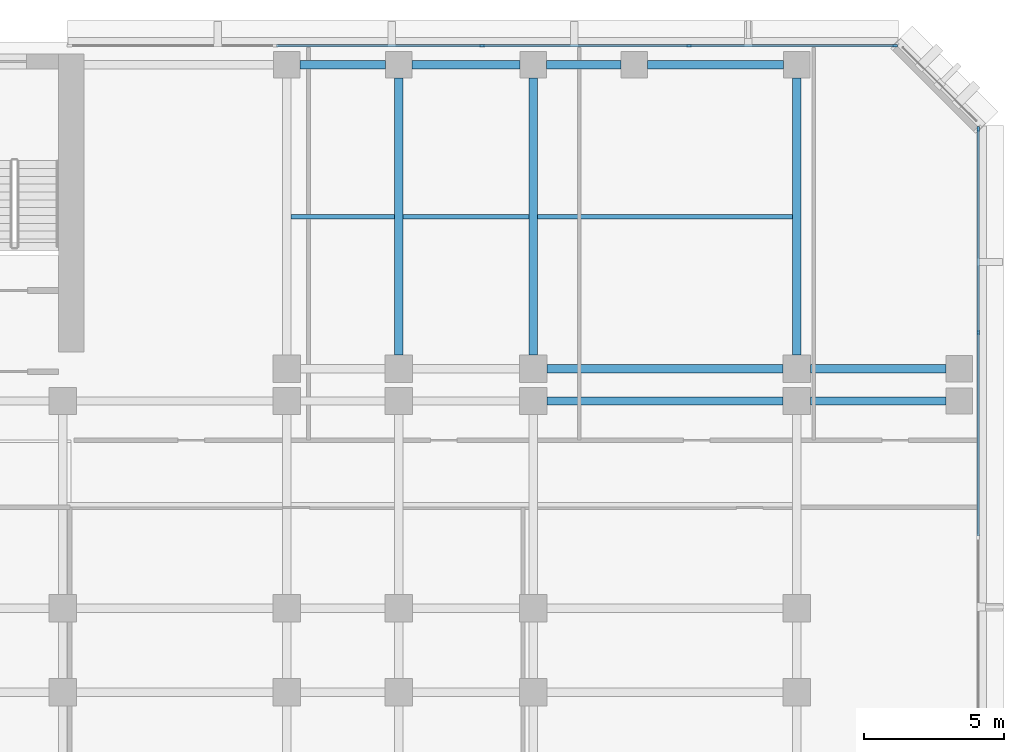
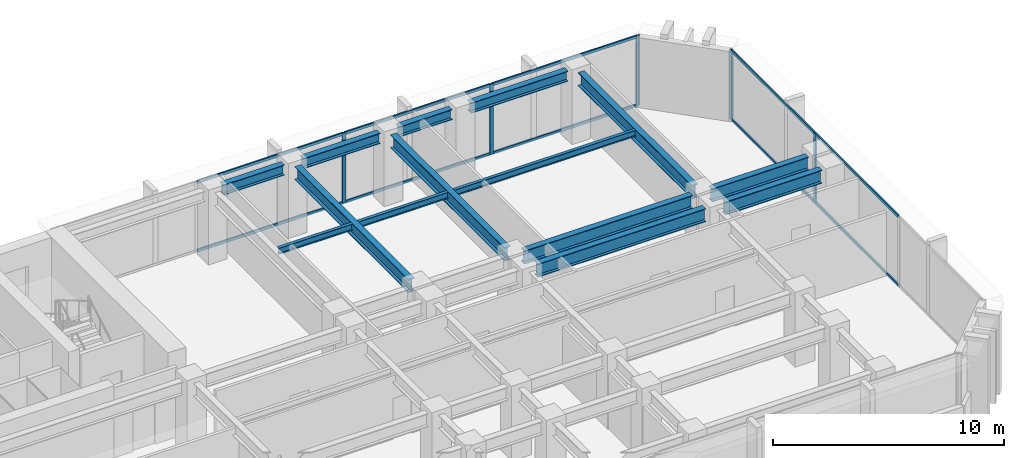
# One storey, part 5 of 13: 15 members, 14 beams, 2 elements without a shape of their own.
"""IFC4 building model written with IfcOpenShell, lengths in metres."""

import ifcopenshell
import ifcopenshell.guid

model = None  # the IFC model being written
_history = None  # IfcOwnerHistory: only IFC2X3 demands one
_inside = {}  # id of a spatial element -> (the spatial element, [elements in it])
_under = {}  # id of a project, library or spatial element -> (it, [spatial elements below it])
_declared = {}  # id of a project -> (the project, [libraries it declares])
_typed = {}  # id of a type object -> (the type object, [elements of that type])
_made_of = {}  # id of a material, layer set ... -> (it, [elements and type objects made of it])


def new_model(schema):
    """Start an empty IFC model of exactly this schema.

    Asked for "IFC4X3", IfcOpenShell would pick the latest addendum, in which some entities
    have other attributes; the version numbers below select the first issue.
    IFC2X3 requires an IfcOwnerHistory on every rooted entity: one is made here for all.
    """
    global model, _history
    if schema == "IFC4X3":
        model = ifcopenshell.file(schema_version=(4, 3, 0, 0))
    else:
        model = ifcopenshell.file(schema=schema)
    _inside.clear()
    _under.clear()
    _declared.clear()
    _typed.clear()
    _made_of.clear()
    _history = None
    if model.schema == "IFC2X3":
        org = make("IfcOrganization", Name="unknown")
        user = make(
            "IfcPersonAndOrganization",
            ThePerson=make("IfcPerson", FamilyName="unknown"),
            TheOrganization=org,
        )
        app = make(
            "IfcApplication",
            ApplicationDeveloper=org,
            Version="unknown",
            ApplicationFullName="unknown",
            ApplicationIdentifier="unknown",
        )
        _history = make(
            "IfcOwnerHistory",
            OwningUser=user,
            OwningApplication=app,
            ChangeAction="ADDED",
            CreationDate=0,
        )
    return model


def make(cls, **values):
    """One entity of the class cls with the attributes given. An attribute that is None is left unset."""
    return model.create_entity(
        cls, **{name: value for name, value in values.items() if value is not None}
    )


def rooted(cls, **values):
    """An entity with a GlobalId (a new one), such as an element, a storey or a relation."""
    return make(cls, GlobalId=ifcopenshell.guid.new(), OwnerHistory=_history, **values)


def si_unit(unit_type, name, prefix=None):
    """IfcSIUnit, for example si_unit("LENGTHUNIT", "METRE", prefix="MILLI")."""
    return make("IfcSIUnit", UnitType=unit_type, Prefix=prefix, Name=name)


def assignment(units):
    """IfcUnitAssignment: the units of a project."""
    return None if units is None else make("IfcUnitAssignment", Units=units)


def point(xyz):
    """IfcCartesianPoint."""
    return None if xyz is None else make("IfcCartesianPoint", Coordinates=xyz)


def direction(xyz):
    """IfcDirection."""
    return None if xyz is None else make("IfcDirection", DirectionRatios=xyz)


def frame(location, z_axis=None, x_axis=None):
    """IfcAxis2Placement3D, a coordinate frame: its origin and axes. An axis left out is left unset."""
    return make(
        "IfcAxis2Placement3D",
        Location=point(location),
        Axis=direction(z_axis),
        RefDirection=direction(x_axis),
    )


def frame_2d(location, x_axis=None):
    """IfcAxis2Placement2D, a coordinate frame in the plane: its origin and x axis."""
    return make(
        "IfcAxis2Placement2D", Location=point(location), RefDirection=direction(x_axis)
    )


def origin():
    """The frame at (0, 0, 0) with its axes left unset."""
    return frame((0.0, 0.0, 0.0))


def origin_2d():
    """The frame at (0, 0) in the plane with its x axis left unset."""
    return frame_2d((0.0, 0.0))


def place(relative_to, where):
    """IfcLocalPlacement: puts the frame where relative to a parent placement (None: the world)."""
    return make(
        "IfcLocalPlacement", PlacementRelTo=relative_to, RelativePlacement=where
    )


def context(
    kind, dimensions, precision=None, world=None, true_north=None, identifier=None
):
    """IfcGeometricRepresentationContext, for example the 3D "Model" context."""
    return make(
        "IfcGeometricRepresentationContext",
        ContextIdentifier=identifier,
        ContextType=kind,
        CoordinateSpaceDimension=dimensions,
        Precision=precision,
        WorldCoordinateSystem=world,
        TrueNorth=true_north,
    )


def subcontext(parent, identifier, kind, view, scale=None):
    """IfcGeometricRepresentationSubContext, for example "Body" below "Model"."""
    return make(
        "IfcGeometricRepresentationSubContext",
        ContextIdentifier=identifier,
        ContextType=kind,
        ParentContext=parent,
        TargetScale=scale,
        TargetView=view,
    )


def project(units=None, contexts=None):
    """IfcProject with its units and contexts."""
    return rooted(
        "IfcProject",
        Name="project",
        RepresentationContexts=contexts,
        UnitsInContext=assignment(units),
    )


def spatial(cls, under=None, at=None, **own):
    """A site, building, storey or space (cls), placed at a placement, below another one or the project."""
    s = rooted(cls, ObjectPlacement=at, **own)
    if under is not None:
        _under.setdefault(under.id(), (under, []))[1].append(s)
    return s


def profile(cls, at=None, kind="AREA", **sizes):
    """A parametric profile (cls). Its sizes go by their IFC names, for example OverallWidth=200.0."""
    return make(cls, ProfileType=kind, Position=at, **sizes)


def rectangle(**sizes):
    """IfcRectangleProfileDef."""
    return profile("IfcRectangleProfileDef", **sizes)


def i_section(**sizes):
    """IfcIShapeProfileDef."""
    return profile("IfcIShapeProfileDef", **sizes)


def extrude(swept, where, along, depth):
    """IfcExtrudedAreaSolid: the profile swept, set in the frame where, extruded along a direction by depth."""
    return make(
        "IfcExtrudedAreaSolid",
        SweptArea=swept,
        Position=where,
        ExtrudedDirection=direction(along),
        Depth=depth,
    )


def shape(context_of_items, identifier, shape_type, items):
    """IfcShapeRepresentation: the items that make up one representation, for example the "Body"."""
    return make(
        "IfcShapeRepresentation",
        ContextOfItems=context_of_items,
        RepresentationIdentifier=identifier,
        RepresentationType=shape_type,
        Items=items,
    )


def material(Name=None, Category=None):
    """IfcMaterial."""
    return make("IfcMaterial", Name=Name, Category=Category)


def layer(
    of_material, thickness, ventilated=None, Name=None, Category=None, Priority=None
):
    """IfcMaterialLayer: one layer of a wall or slab, of a material (None: an air gap)."""
    return make(
        "IfcMaterialLayer",
        Material=of_material,
        LayerThickness=thickness,
        IsVentilated=ventilated,
        Name=Name,
        Category=Category,
        Priority=Priority,
    )


def layer_set(layers, Name=None):
    """IfcMaterialLayerSet."""
    return make("IfcMaterialLayerSet", MaterialLayers=layers, LayerSetName=Name)


def material_profile(
    of_material, cross_section, Name=None, Category=None, Priority=None
):
    """IfcMaterialProfile: a cross section and its material."""
    return make(
        "IfcMaterialProfile",
        Name=Name,
        Material=of_material,
        Profile=cross_section,
        Priority=Priority,
        Category=Category,
    )


def profile_set(profiles, Name=None, composite=None):
    """IfcMaterialProfileSet."""
    return make(
        "IfcMaterialProfileSet",
        Name=Name,
        MaterialProfiles=profiles,
        CompositeProfile=composite,
    )


def made_of(thing, what):
    """Note that an element or type object is made of a material, layer set ...; save() writes the relation."""
    if what is not None:
        _made_of.setdefault(what.id(), (what, []))[1].append(thing)
    return thing


def type_object(cls, material=None, **own):
    """A type object (cls), such as IfcWallType, which elements share."""
    return made_of(rooted(cls, **own), material)


def element(
    cls,
    number,
    at=None,
    inside=None,
    cuts=None,
    type_object=None,
    material=None,
    context=None,
    identifier="Body",
    shape_type=None,
    held_by="IfcProductDefinitionShape",
    body=None,
    shapes=None,
    **own,
):
    """One element of the class cls, such as IfcWall. Its Tag is "e" and its number.

    at: its placement. inside: the storey or other place that contains it. cuts: it is an
    opening in that element (IfcRelVoidsElement). A single representation is given by context,
    identifier, shape_type and body (its items); several are given by shapes. held_by: the class
    of the entity that holds the representations. save() writes the other relations.
    """
    e = rooted(cls, Tag="e%d" % number, ObjectPlacement=at, **own)
    if body is not None:
        shapes = [shape(context, identifier, shape_type, body)]
    if shapes is not None:
        e.Representation = make(held_by, Representations=shapes)
    if inside is not None:
        _inside.setdefault(inside.id(), (inside, []))[1].append(e)
    if cuts is not None:
        rooted(
            "IfcRelVoidsElement", RelatingBuildingElement=cuts, RelatedOpeningElement=e
        )
    if type_object is not None:
        _typed.setdefault(type_object.id(), (type_object, []))[1].append(e)
    return made_of(e, material)


def aggregate(whole, parts):
    """IfcRelAggregates: a whole, such as a stair, and the parts it consists of."""
    return rooted("IfcRelAggregates", RelatingObject=whole, RelatedObjects=parts)


def save(model, path):
    """Write the relations noted so far, then the file.

    IfcRelAggregates (storeys below a building ...), IfcRelContainedInSpatialStructure (elements
    in a storey), IfcRelDefinesByType, IfcRelAssociatesMaterial and IfcRelDeclares: one each for
    every whole, place, type object, material and project.
    """
    for whole, parts in _under.values():
        aggregate(whole, parts)
    for where, things in _inside.values():
        rooted(
            "IfcRelContainedInSpatialStructure",
            RelatedElements=things,
            RelatingStructure=where,
        )
    for kind, things in _typed.values():
        rooted("IfcRelDefinesByType", RelatedObjects=things, RelatingType=kind)
    for what, things in _made_of.values():
        rooted("IfcRelAssociatesMaterial", RelatedObjects=things, RelatingMaterial=what)
    for by, libraries in _declared.values():
        rooted("IfcRelDeclares", RelatingContext=by, RelatedDefinitions=libraries)
    model.write(path)


model = new_model("IFC4")

# Units and contexts
model_context = context("Model", 3, precision=1e-05, world=origin(), true_north=direction((0.0, 1.0)))
body_context = subcontext(model_context, "Body", "Model", "MODEL_VIEW")
ifc_project = project(units=[si_unit("LENGTHUNIT", "METRE"), si_unit("AREAUNIT", "SQUARE_METRE"), si_unit("VOLUMEUNIT", "CUBIC_METRE"), si_unit("PLANEANGLEUNIT", "RADIAN"), si_unit("MASSUNIT", "GRAM", prefix="KILO")], contexts=[model_context])

# Site, building, storey
site_placement = place(None, origin())
site = spatial("IfcSite", under=ifc_project, at=site_placement, CompositionType="ELEMENT")
building_placement = place(site_placement, origin())
building = spatial("IfcBuilding", under=site, at=building_placement, Name="Kefirva Bronze Tower", CompositionType="ELEMENT")
storey_placement = place(building_placement, frame((0.0, 0.0, 38.280029296875)))
storey = spatial("IfcBuildingStorey", under=building, at=storey_placement, Name="L08", CompositionType="ELEMENT", Elevation=38.280029296875)

# Curtain wall, members
ifc_material_1 = material(Name="Bronze anodised aluminium", Category="aluminium")
ifc_layer = layer(ifc_material_1, 0.199951171875, Name="Bronze anodised aluminium")
ifc_layer_set = layer_set([ifc_layer], Name="Bronze anodised aluminium")
curtain_wall_type = type_object("IfcCurtainWallType", Name="Unitised Bronze Ribbon Curtain Wall Zone 1", PredefinedType="USERDEFINED", material=ifc_layer_set)
curtain_wall_1_placement = place(storey_placement, origin())
curtain_wall_1 = element("IfcCurtainWall", 1, at=curtain_wall_1_placement, inside=storey, type_object=curtain_wall_type, Name="L08 Curtain Wall 2", ObjectType="UNITISED CURTAIN WALL", PredefinedType="USERDEFINED")
ifc_material_profile_1 = material_profile(ifc_material_1, rectangle(XDim=0.074951171875, YDim=0.179931640625, at=origin_2d()), Name="ALU 75x180")
ifc_profile_set_1 = profile_set([ifc_material_profile_1], Name="Bronze anodised aluminium")
member_type_1 = type_object("IfcMemberType", Name="Bronze Mullion 75x180", PredefinedType="MULLION", material=ifc_profile_set_1)
member_1_placement = place(storey_placement, frame((55.8798828125, 35.6484375, 0.0), z_axis=(0.0, 0.0, 1.0), x_axis=(-1.0, 0.0, 0.0)))
member_1 = element("IfcMember", 2, at=member_1_placement, type_object=member_type_1, Name="CW-01 mullion 3", PredefinedType="MULLION", context=body_context, shape_type="SweptSolid", body=[
    extrude(rectangle(XDim=0.074951171875, YDim=0.179931640625, at=origin_2d()), origin(), (0.0, 0.0, 1.0), 3.7099609375),
])
member_2_placement = place(storey_placement, frame((55.8798828125, 42.907470703125, 0.0), z_axis=(0.0, 0.0, 1.0), x_axis=(-1.0, 0.0, 0.0)))
member_2 = element("IfcMember", 3, at=member_2_placement, type_object=member_type_1, Name="CW-01 mullion 4", PredefinedType="MULLION", context=body_context, shape_type="SweptSolid", body=[
    extrude(rectangle(XDim=0.074951171875, YDim=0.179931640625, at=origin_2d()), origin(), (0.0, 0.0, 1.0), 3.7099609375),
])

curtain_wall_2_placement = place(storey_placement, origin())
curtain_wall_2 = element("IfcCurtainWall", 4, at=curtain_wall_2_placement, inside=storey, type_object=curtain_wall_type, Name="L08 Curtain Wall 3", ObjectType="UNITISED CURTAIN WALL", PredefinedType="USERDEFINED")
member_3_placement = place(storey_placement, frame((52.907470703125, 45.8798828125, 0.0), z_axis=(0.0, 0.0, 1.0), x_axis=(0.0, -1.0, 0.0)))
member_3 = element("IfcMember", 5, at=member_3_placement, type_object=member_type_1, Name="CW-01 mullion 1", PredefinedType="MULLION", context=body_context, shape_type="SweptSolid", body=[
    extrude(rectangle(XDim=0.074951171875, YDim=0.179931640625, at=origin_2d()), origin(), (0.0, 0.0, 1.0), 3.7099609375),
])
member_4_placement = place(storey_placement, frame((45.56005859375, 45.8798828125, 0.0), z_axis=(0.0, 0.0, 1.0), x_axis=(0.0, -1.0, 0.0)))
member_4 = element("IfcMember", 6, at=member_4_placement, type_object=member_type_1, Name="CW-01 mullion 2", PredefinedType="MULLION", context=body_context, shape_type="SweptSolid", body=[
    extrude(rectangle(XDim=0.074951171875, YDim=0.179931640625, at=origin_2d()), origin(), (0.0, 0.0, 1.0), 3.7099609375),
])
member_5_placement = place(storey_placement, frame((38.175048828125, 45.8798828125, 0.0), z_axis=(0.0, 0.0, 1.0), x_axis=(0.0, -1.0, 0.0)))
member_5 = element("IfcMember", 7, at=member_5_placement, type_object=member_type_1, Name="CW-01 mullion 3", PredefinedType="MULLION", context=body_context, shape_type="SweptSolid", body=[
    extrude(rectangle(XDim=0.074951171875, YDim=0.179931640625, at=origin_2d()), origin(), (0.0, 0.0, 1.0), 3.7099609375),
])

# Member
ifc_material_profile_2 = material_profile(ifc_material_1, rectangle(XDim=0.074951171875, YDim=0.14990234375, at=origin_2d()), Name="ALU 75x150")
ifc_profile_set_2 = profile_set([ifc_material_profile_2], Name="Bronze anodised aluminium")
member_type_2 = type_object("IfcMemberType", Name="Bronze Transom 75x150", PredefinedType="USERDEFINED", material=ifc_profile_set_2)
member_6_placement = place(storey_placement, frame((55.8798828125, 28.38916015625, 0.037353515625), z_axis=(0.0, 1.0, 0.0), x_axis=(-1.0, 0.0, 0.0)))
member_6 = element("IfcMember", 8, at=member_6_placement, type_object=member_type_2, Name="CW-01 transom 2.1", ObjectType="TRANSOM", PredefinedType="USERDEFINED", context=body_context, shape_type="SweptSolid", body=[
    extrude(rectangle(XDim=0.074951171875, YDim=0.14990234375, at=origin_2d()), origin(), (0.0, 0.0, 1.0), 7.2216796875),
])

member_7_placement = place(storey_placement, frame((55.8798828125, 28.38916015625, 3.67236328125), z_axis=(0.0, 1.0, 0.0), x_axis=(-1.0, 0.0, 0.0)))
member_7 = element("IfcMember", 9, at=member_7_placement, type_object=member_type_2, Name="CW-01 transom 2.2", ObjectType="TRANSOM", PredefinedType="USERDEFINED", context=body_context, shape_type="SweptSolid", body=[
    extrude(rectangle(XDim=0.074951171875, YDim=0.14990234375, at=origin_2d()), origin(), (0.0, 0.0, 1.0), 7.2216796875),
])

member_8_placement = place(storey_placement, frame((55.8798828125, 35.685791015625, 0.037353515625), z_axis=(0.0, 1.0, 0.0), x_axis=(-1.0, 0.0, 0.0)))
member_8 = element("IfcMember", 10, at=member_8_placement, type_object=member_type_2, Name="CW-01 transom 3.1", ObjectType="TRANSOM", PredefinedType="USERDEFINED", context=body_context, shape_type="SweptSolid", body=[
    extrude(rectangle(XDim=0.074951171875, YDim=0.14990234375, at=origin_2d()), origin(), (0.0, 0.0, 1.0), 7.184326171875),
])

member_9_placement = place(storey_placement, frame((55.8798828125, 35.685791015625, 3.67236328125), z_axis=(0.0, 1.0, 0.0), x_axis=(-1.0, 0.0, 0.0)))
member_9 = element("IfcMember", 11, at=member_9_placement, type_object=member_type_2, Name="CW-01 transom 3.2", ObjectType="TRANSOM", PredefinedType="USERDEFINED", context=body_context, shape_type="SweptSolid", body=[
    extrude(rectangle(XDim=0.074951171875, YDim=0.14990234375, at=origin_2d()), origin(), (0.0, 0.0, 1.0), 7.184326171875),
])

aggregate(curtain_wall_1, [member_1, member_2, member_6, member_7, member_8, member_9])

member_10_placement = place(storey_placement, frame((52.8701171875, 45.8798828125, 0.037353515625), z_axis=(-1.0, 0.0, 0.0), x_axis=(0.0, -1.0, 0.0)))
member_10 = element("IfcMember", 12, at=member_10_placement, type_object=member_type_2, Name="CW-01 transom 1.1", ObjectType="TRANSOM", PredefinedType="USERDEFINED", context=body_context, shape_type="SweptSolid", body=[
    extrude(rectangle(XDim=0.074951171875, YDim=0.14990234375, at=origin_2d()), origin(), (0.0, 0.0, 1.0), 7.272705078125),
])

member_11_placement = place(storey_placement, frame((52.8701171875, 45.8798828125, 3.67236328125), z_axis=(-1.0, 0.0, 0.0), x_axis=(0.0, -1.0, 0.0)))
member_11 = element("IfcMember", 13, at=member_11_placement, type_object=member_type_2, Name="CW-01 transom 1.2", ObjectType="TRANSOM", PredefinedType="USERDEFINED", context=body_context, shape_type="SweptSolid", body=[
    extrude(rectangle(XDim=0.074951171875, YDim=0.14990234375, at=origin_2d()), origin(), (0.0, 0.0, 1.0), 7.272705078125),
])

member_12_placement = place(storey_placement, frame((45.5224609375, 45.8798828125, 0.037353515625), z_axis=(-1.0, 0.0, 0.0), x_axis=(0.0, -1.0, 0.0)))
member_12 = element("IfcMember", 14, at=member_12_placement, type_object=member_type_2, Name="CW-01 transom 2.1", ObjectType="TRANSOM", PredefinedType="USERDEFINED", context=body_context, shape_type="SweptSolid", body=[
    extrude(rectangle(XDim=0.074951171875, YDim=0.14990234375, at=origin_2d()), origin(), (0.0, 0.0, 1.0), 7.31005859375),
])

member_13_placement = place(storey_placement, frame((45.5224609375, 45.8798828125, 3.67236328125), z_axis=(-1.0, 0.0, 0.0), x_axis=(0.0, -1.0, 0.0)))
member_13 = element("IfcMember", 15, at=member_13_placement, type_object=member_type_2, Name="CW-01 transom 2.2", ObjectType="TRANSOM", PredefinedType="USERDEFINED", context=body_context, shape_type="SweptSolid", body=[
    extrude(rectangle(XDim=0.074951171875, YDim=0.14990234375, at=origin_2d()), origin(), (0.0, 0.0, 1.0), 7.31005859375),
])

member_14_placement = place(storey_placement, frame((38.137451171875, 45.8798828125, 0.037353515625), z_axis=(-1.0, 0.0, 0.0), x_axis=(0.0, -1.0, 0.0)))
member_14 = element("IfcMember", 16, at=member_14_placement, type_object=member_type_2, Name="CW-01 transom 3.1", ObjectType="TRANSOM", PredefinedType="USERDEFINED", context=body_context, shape_type="SweptSolid", body=[
    extrude(rectangle(XDim=0.074951171875, YDim=0.14990234375, at=origin_2d()), origin(), (0.0, 0.0, 1.0), 7.31005859375),
])

member_15_placement = place(storey_placement, frame((38.137451171875, 45.8798828125, 3.67236328125), z_axis=(-1.0, 0.0, 0.0), x_axis=(0.0, -1.0, 0.0)))
member_15 = element("IfcMember", 17, at=member_15_placement, type_object=member_type_2, Name="CW-01 transom 3.2", ObjectType="TRANSOM", PredefinedType="USERDEFINED", context=body_context, shape_type="SweptSolid", body=[
    extrude(rectangle(XDim=0.074951171875, YDim=0.14990234375, at=origin_2d()), origin(), (0.0, 0.0, 1.0), 7.31005859375),
])

aggregate(curtain_wall_2, [member_3, member_4, member_5, member_10, member_11, member_12, member_13, member_14, member_15])

# Beams
ifc_material_2 = material(Name="Steel S355", Category="steel")
ifc_material_profile_3 = material_profile(ifc_material_2, i_section(OverallWidth=0.159912109375, OverallDepth=0.330078125, WebThickness=0.007568359375, FlangeThickness=0.011474609375, at=origin_2d()), Name="IPE 330")
ifc_profile_set_3 = profile_set([ifc_material_profile_3], Name="Steel S355")
beam_type_1 = type_object("IfcBeamType", Name="Steel Floor Joist IPE 330", PredefinedType="JOIST", material=ifc_profile_set_3)
beam_1_placement = place(storey_placement, frame((31.35009765625, 39.784912109375, 3.544921875), z_axis=(1.0, 0.0, 0.0), x_axis=(0.0, 1.0, 0.0)))
element("IfcBeam", 18, at=beam_1_placement, inside=storey, type_object=beam_type_1, Name="L08 JST-L08-31-397", PredefinedType="JOIST", context=body_context, shape_type="SweptSolid", body=[
    extrude(i_section(OverallWidth=0.159912109375, OverallDepth=0.330078125, WebThickness=0.007568359375, FlangeThickness=0.011474609375, at=origin_2d()), origin(), (0.0, 0.0, 1.0), 3.699951171875),
])
beam_2_placement = place(storey_placement, frame((35.35009765625, 39.784912109375, 3.544921875), z_axis=(1.0, 0.0, 0.0), x_axis=(0.0, 1.0, 0.0)))
element("IfcBeam", 19, at=beam_2_placement, inside=storey, type_object=beam_type_1, Name="L08 JST-L08-35-397", PredefinedType="JOIST", context=body_context, shape_type="SweptSolid", body=[
    extrude(i_section(OverallWidth=0.159912109375, OverallDepth=0.330078125, WebThickness=0.007568359375, FlangeThickness=0.011474609375, at=origin_2d()), origin(), (0.0, 0.0, 1.0), 4.5),
])
beam_3_placement = place(storey_placement, frame((40.14990234375, 39.784912109375, 3.544921875), z_axis=(1.0, 0.0, 0.0), x_axis=(0.0, 1.0, 0.0)))
element("IfcBeam", 20, at=beam_3_placement, inside=storey, type_object=beam_type_1, Name="L08 JST-L08-40-397", PredefinedType="JOIST", context=body_context, shape_type="SweptSolid", body=[
    extrude(i_section(OverallWidth=0.159912109375, OverallDepth=0.330078125, WebThickness=0.007568359375, FlangeThickness=0.011474609375, at=origin_2d()), origin(), (0.0, 0.0, 1.0), 9.10009765625),
])
ifc_material_profile_4 = material_profile(ifc_material_2, i_section(OverallWidth=0.300048828125, OverallDepth=0.699951171875, WebThickness=0.01708984375, FlangeThickness=0.031982421875, at=origin_2d()), Name="HEB 700")
ifc_profile_set_4 = profile_set([ifc_material_profile_4], Name="Steel S355")
beam_type_2 = type_object("IfcBeamType", Name="Steel Girder HEB 700", PredefinedType="USERDEFINED", material=ifc_profile_set_4)
beam_4_placement = place(storey_placement, frame((40.489990234375, 33.199951171875, 3.35986328125), z_axis=(1.0, 0.0, 0.0), x_axis=(0.0, 1.0, 0.0)))
element("IfcBeam", 21, at=beam_4_placement, inside=storey, type_object=beam_type_2, Name="L08 BM-L08-EW-40-332", ObjectType="GIRDER", PredefinedType="USERDEFINED", context=body_context, shape_type="SweptSolid", body=[
    extrude(i_section(OverallWidth=0.300048828125, OverallDepth=0.699951171875, WebThickness=0.01708984375, FlangeThickness=0.031982421875, at=origin_2d()), origin(), (0.0, 0.0, 1.0), 8.419921875),
])
beam_5_placement = place(storey_placement, frame((49.889892578125, 33.199951171875, 3.35986328125), z_axis=(1.0, 0.0, 0.0), x_axis=(0.0, 1.0, 0.0)))
element("IfcBeam", 22, at=beam_5_placement, inside=storey, type_object=beam_type_2, Name="L08 BM-L08-EW-49-332", ObjectType="GIRDER", PredefinedType="USERDEFINED", context=body_context, shape_type="SweptSolid", body=[
    extrude(i_section(OverallWidth=0.300048828125, OverallDepth=0.699951171875, WebThickness=0.01708984375, FlangeThickness=0.031982421875, at=origin_2d()), origin(), (0.0, 0.0, 1.0), 4.840087890625),
])
beam_6_placement = place(storey_placement, frame((40.489990234375, 34.35009765625, 3.35986328125), z_axis=(1.0, 0.0, 0.0), x_axis=(0.0, 1.0, 0.0)))
element("IfcBeam", 23, at=beam_6_placement, inside=storey, type_object=beam_type_2, Name="L08 BM-L08-EW-40-344", ObjectType="GIRDER", PredefinedType="USERDEFINED", context=body_context, shape_type="SweptSolid", body=[
    extrude(i_section(OverallWidth=0.300048828125, OverallDepth=0.699951171875, WebThickness=0.01708984375, FlangeThickness=0.031982421875, at=origin_2d()), origin(), (0.0, 0.0, 1.0), 8.419921875),
])
beam_7_placement = place(storey_placement, frame((49.889892578125, 34.35009765625, 3.35986328125), z_axis=(1.0, 0.0, 0.0), x_axis=(0.0, 1.0, 0.0)))
element("IfcBeam", 24, at=beam_7_placement, inside=storey, type_object=beam_type_2, Name="L08 BM-L08-EW-49-344", ObjectType="GIRDER", PredefinedType="USERDEFINED", context=body_context, shape_type="SweptSolid", body=[
    extrude(i_section(OverallWidth=0.300048828125, OverallDepth=0.699951171875, WebThickness=0.01708984375, FlangeThickness=0.031982421875, at=origin_2d()), origin(), (0.0, 0.0, 1.0), 4.840087890625),
])
for number, where, z_axis, x_axis, name in (
    (25, (35.199951171875, 34.840087890625, 3.35986328125), (0.0, 1.0, 0.0), (-1.0, 0.0, 0.0), "L08 BM-L08-NS-352-34"),
    (26, (40.0, 34.840087890625, 3.35986328125), (0.0, 1.0, 0.0), (-1.0, 0.0, 0.0), "L08 BM-L08-NS-400-34"),
    (27, (49.39990234375, 34.840087890625, 3.35986328125), (0.0, 1.0, 0.0), (-1.0, 0.0, 0.0), "L08 BM-L08-NS-494-34"),
):
    element("IfcBeam", number, at=place(storey_placement, frame(where, z_axis=z_axis, x_axis=x_axis)), inside=storey, type_object=beam_type_2, Name=name, ObjectType="GIRDER", PredefinedType="USERDEFINED", context=body_context, shape_type="SweptSolid", body=[
        extrude(i_section(OverallWidth=0.300048828125, OverallDepth=0.699951171875, WebThickness=0.01708984375, FlangeThickness=0.031982421875, at=origin_2d()), origin(), (0.0, 0.0, 1.0), 9.889892578125),
    ])
ifc_material_profile_5 = material_profile(ifc_material_2, i_section(OverallWidth=0.300048828125, OverallDepth=0.550048828125, WebThickness=0.014892578125, FlangeThickness=0.029052734375, at=origin_2d()), Name="HEB 550")
ifc_profile_set_5 = profile_set([ifc_material_profile_5], Name="Steel S355")
beam_type_3 = type_object("IfcBeamType", Name="Steel Spandrel HEB 550 Ext", PredefinedType="SPANDREL", material=ifc_profile_set_5)
beam_8_placement = place(storey_placement, frame((31.669921875, 45.199951171875, 3.43505859375), z_axis=(1.0, 0.0, 0.0), x_axis=(0.0, 1.0, 0.0)))
element("IfcBeam", 28, at=beam_8_placement, inside=storey, type_object=beam_type_3, Name="L08 BM-L08-EW-31-452", PredefinedType="SPANDREL", context=body_context, shape_type="SweptSolid", body=[
    extrude(i_section(OverallWidth=0.300048828125, OverallDepth=0.550048828125, WebThickness=0.014892578125, FlangeThickness=0.029052734375, at=origin_2d()), origin(), (0.0, 0.0, 1.0), 3.06005859375),
])
beam_9_placement = place(storey_placement, frame((35.669921875, 45.199951171875, 3.43505859375), z_axis=(1.0, 0.0, 0.0), x_axis=(0.0, 1.0, 0.0)))
element("IfcBeam", 29, at=beam_9_placement, inside=storey, type_object=beam_type_3, Name="L08 BM-L08-EW-35-452", PredefinedType="SPANDREL", context=body_context, shape_type="SweptSolid", body=[
    extrude(i_section(OverallWidth=0.300048828125, OverallDepth=0.550048828125, WebThickness=0.014892578125, FlangeThickness=0.029052734375, at=origin_2d()), origin(), (0.0, 0.0, 1.0), 3.860107421875),
])
beam_10_placement = place(storey_placement, frame((40.469970703125, 45.199951171875, 3.43505859375), z_axis=(1.0, 0.0, 0.0), x_axis=(0.0, 1.0, 0.0)))
element("IfcBeam", 30, at=beam_10_placement, inside=storey, type_object=beam_type_3, Name="L08 BM-L08-EW-40-452", PredefinedType="SPANDREL", context=body_context, shape_type="SweptSolid", body=[
    extrude(i_section(OverallWidth=0.300048828125, OverallDepth=0.550048828125, WebThickness=0.014892578125, FlangeThickness=0.029052734375, at=origin_2d()), origin(), (0.0, 0.0, 1.0), 2.659912109375),
])
beam_11_placement = place(storey_placement, frame((44.070068359375, 45.199951171875, 3.43505859375), z_axis=(1.0, 0.0, 0.0), x_axis=(0.0, 1.0, 0.0)))
element("IfcBeam", 31, at=beam_11_placement, inside=storey, type_object=beam_type_3, Name="L08 BM-L08-EW-43-452", PredefinedType="SPANDREL", context=body_context, shape_type="SweptSolid", body=[
    extrude(i_section(OverallWidth=0.300048828125, OverallDepth=0.550048828125, WebThickness=0.014892578125, FlangeThickness=0.029052734375, at=origin_2d()), origin(), (0.0, 0.0, 1.0), 4.85986328125),
])

save(model, "model.ifc")
